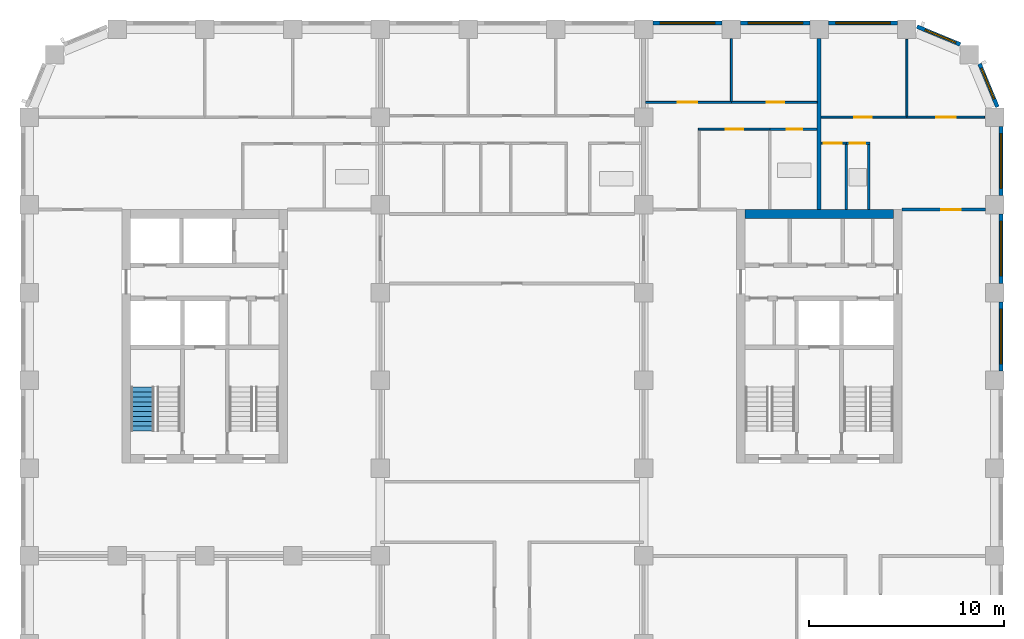
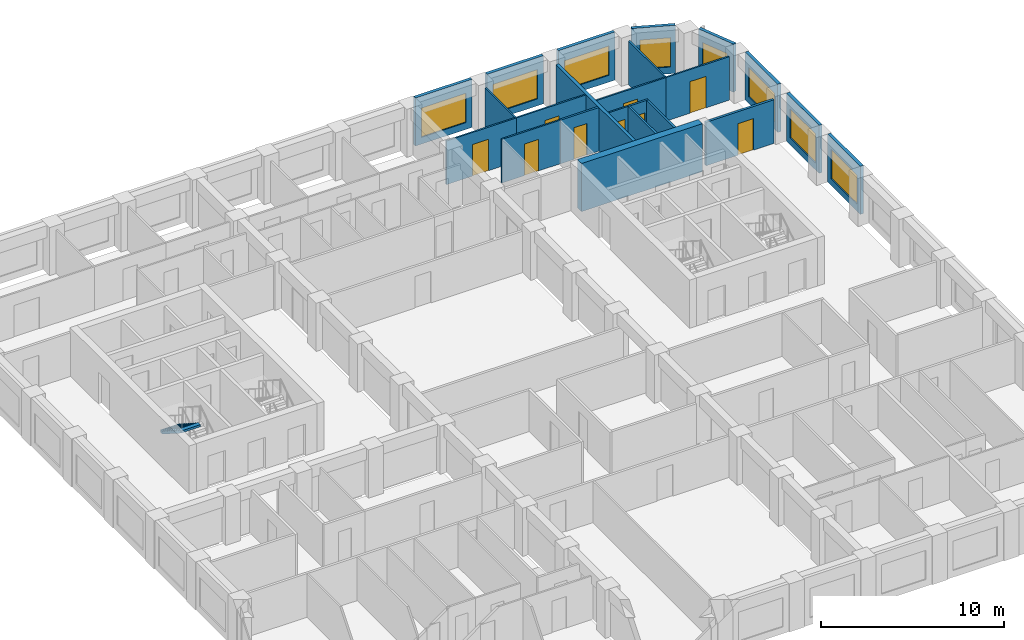
# One storey, part 9 of 13: 23 walls, 9 doors, 8 windows, 1 stair flight, 17 openings, 1 element without a shape of its own.
"""IFC4 building model written with IfcOpenShell, lengths in metres."""

from ifc_helpers import new_model, si_unit, direction, frame, frame_2d, origin, place, context, subcontext, project, spatial, polyline, rectangle, outline, extrude, material, layer, layer_set, type_object, element, fill, aggregate, save


model = new_model("IFC4")

# Units and contexts
model_context = context("Model", 3, precision=1e-05, world=origin(), true_north=direction((0.0, 1.0)))
body_context = subcontext(model_context, "Body", "Model", "MODEL_VIEW")
ifc_project = project(units=[si_unit("LENGTHUNIT", "METRE"), si_unit("AREAUNIT", "SQUARE_METRE"), si_unit("VOLUMEUNIT", "CUBIC_METRE"), si_unit("PLANEANGLEUNIT", "RADIAN"), si_unit("MASSUNIT", "GRAM", prefix="KILO")], contexts=[model_context])

# Site, building, storey
site_placement = place(None, origin())
site = spatial("IfcSite", under=ifc_project, at=site_placement, CompositionType="ELEMENT")
building_placement = place(site_placement, origin())
building = spatial("IfcBuilding", under=site, at=building_placement, Name="Girih Gate Residences", CompositionType="ELEMENT")
storey_placement = place(building_placement, frame((0.0, 0.0, 133.39990234375)))
storey = spatial("IfcBuildingStorey", under=building, at=storey_placement, Name="L37", CompositionType="ELEMENT", Elevation=133.39990234375)

# Wall, opening, door
ifc_material_1 = material(Name="Gypsum board on steel studs", Category="steel")
ifc_layer_1 = layer(ifc_material_1, 0.14990234375)
ifc_layer_set_1 = layer_set([ifc_layer_1], Name="Compartment wall 150 mm")
wall_type_1 = type_object("IfcWallType", Name="Compartment wall 150 mm", PredefinedType="PARTITIONING", material=ifc_layer_set_1)
wall_1_placement = place(storey_placement, frame((44.75, 40.25, 0.0), z_axis=(0.0, 0.0, 1.0), x_axis=(1.0, 0.0, 0.0)))
wall_1 = element("IfcWall", 1, at=wall_1_placement, inside=storey, type_object=wall_type_1, Name="L37 partition", PredefinedType="PARTITIONING", context=body_context, shape_type="SweptSolid", body=[
    extrude(rectangle(XDim=4.27490234375, YDim=0.14990234375, at=frame_2d((2.137451171875, 0.0))), origin(), (0.0, 0.0, 1.0), 2.900146484375),
])
opening_1_placement = place(wall_1_placement, frame((2.0, 0.0, 0.0)))
opening_1 = element("IfcOpeningElement", 2, at=opening_1_placement, cuts=wall_1, Name="Opening A37-031", PredefinedType="OPENING", context=body_context, shape_type="SweptSolid", body=[
    extrude(rectangle(XDim=1.0, YDim=2.10009765625, at=frame_2d((0.5, 1.050048828125))), frame((0.0, 0.0849609375, 0.0), z_axis=(0.0, -1.0, 0.0), x_axis=(1.0, 0.0, 0.0)), (0.0, 0.0, 1.0), 0.169921875),
])
ifc_material_2 = material(Name="Timber, fire-rated core", Category="wood")
door_type_1 = type_object("IfcDoorType", Name="Flat entrance door 1000x2100 FD30S", OperationType="NOTDEFINED", PredefinedType="DOOR", material=ifc_material_2)
door_1_placement = place(opening_1_placement, origin())
door_1 = element("IfcDoor", 3, at=door_1_placement, inside=storey, type_object=door_type_1, Name="Door A37-031", OperationType="SINGLE_SWING_RIGHT", OverallHeight=2.10009765625, OverallWidth=1.0, PredefinedType="DOOR", context=body_context, shape_type="SweptSolid", body=[
    extrude(rectangle(XDim=1.0, YDim=2.10009765625, at=frame_2d((0.5, 1.050048828125))), frame((0.0, 0.02490234375, 0.0), z_axis=(0.0, -1.0, 0.0), x_axis=(1.0, 0.0, 0.0)), (0.0, 0.0, 1.0), 0.050048828125),
])
fill(opening_1, door_1)

# Wall
ifc_material_3 = material(Name="Concrete C60/75", Category="concrete")
ifc_layer_2 = layer(ifc_material_3, 0.449951171875)
ifc_layer_set_2 = layer_set([ifc_layer_2], Name="Core wall RC 450 Concrete C60/75")
wall_type_2 = type_object("IfcWallType", Name="Core wall RC 450 Concrete C60/75", PredefinedType="SOLIDWALL", material=ifc_layer_set_2)
wall_2_placement = place(storey_placement, frame((36.699951171875, 40.02490234375, 0.0), z_axis=(0.0, 0.0, 1.0), x_axis=(1.0, 0.0, 0.0)))
element("IfcWall", 4, at=wall_2_placement, inside=storey, type_object=wall_type_2, Name="Core wall E-N L37", PredefinedType="SOLIDWALL", context=body_context, shape_type="SweptSolid", body=[
    extrude(rectangle(XDim=7.60009765625, YDim=0.449951171875, at=frame_2d((3.800048828125, 0.0))), origin(), (0.0, 0.0, 1.0), 3.2001953125),
])

# Wall, opening, door
ifc_layer_3 = layer(ifc_material_1, 0.10009765625)
ifc_layer_set_3 = layer_set([ifc_layer_3], Name="Partition 100 mm")
wall_type_3 = type_object("IfcWallType", Name="Partition 100 mm", PredefinedType="PARTITIONING", material=ifc_layer_set_3)
wall_3_placement = place(storey_placement, frame((40.60009765625, 45.0, 0.0), z_axis=(0.0, 0.0, 1.0), x_axis=(1.0, 0.0, 0.0)))
wall_3 = element("IfcWall", 5, at=wall_3_placement, inside=storey, type_object=wall_type_3, Name="L37 partition", PredefinedType="PARTITIONING", context=body_context, shape_type="SweptSolid", body=[
    extrude(rectangle(XDim=4.39990234375, YDim=0.10009765625, at=frame_2d((2.199951171875, 0.0))), origin(), (0.0, 0.0, 1.0), 2.900146484375),
])
opening_2_placement = place(wall_3_placement, frame((1.699951171875, 0.0, 0.0)))
opening_2 = element("IfcOpeningElement", 6, at=opening_2_placement, cuts=wall_3, Name="Opening A37-028", PredefinedType="OPENING", context=body_context, shape_type="SweptSolid", body=[
    extrude(rectangle(XDim=0.89990234375, YDim=2.10009765625, at=frame_2d((0.449951171875, 1.050048828125))), frame((0.0, 0.06005859375, 0.0), z_axis=(0.0, -1.0, 0.0), x_axis=(1.0, 0.0, 0.0)), (0.0, 0.0, 1.0), 0.1201171875),
])
ifc_material_4 = material(Name="Timber", Category="wood")
door_type_2 = type_object("IfcDoorType", Name="Bedroom door 900x2100", OperationType="NOTDEFINED", PredefinedType="DOOR", material=ifc_material_4)
door_2_placement = place(opening_2_placement, origin())
door_2 = element("IfcDoor", 7, at=door_2_placement, inside=storey, type_object=door_type_2, Name="Door A37-028", OperationType="SINGLE_SWING_LEFT", OverallHeight=2.10009765625, OverallWidth=0.89990234375, PredefinedType="DOOR", context=body_context, shape_type="SweptSolid", body=[
    extrude(rectangle(XDim=0.89990234375, YDim=2.10009765625, at=frame_2d((0.449951171875, 1.050048828125))), frame((0.0, 0.02490234375, 0.0), z_axis=(0.0, -1.0, 0.0), x_axis=(1.0, 0.0, 0.0)), (0.0, 0.0, 1.0), 0.050048828125),
])
fill(opening_2, door_2)

# Wall
wall_4_placement = place(storey_placement, frame((45.0, 45.050048828125, 0.0), z_axis=(0.0, 0.0, 1.0), x_axis=(0.0, 1.0, 0.0)))
element("IfcWall", 8, at=wall_4_placement, inside=storey, type_object=wall_type_3, Name="L37 partition", PredefinedType="PARTITIONING", context=body_context, shape_type="SweptSolid", body=[
    extrude(rectangle(XDim=3.935791015625, YDim=0.10009765625, at=frame_2d((1.9677734375, 0.0))), origin(), (0.0, 0.0, 1.0), 2.900146484375),
])

# Wall, opening, door
wall_5_placement = place(storey_placement, frame((41.890869140625, 43.659912109375, 0.0), z_axis=(0.0, 0.0, 1.0), x_axis=(-1.0, 0.0, 0.0)))
wall_5 = element("IfcWall", 9, at=wall_5_placement, inside=storey, type_object=wall_type_3, Name="L37 partition", PredefinedType="PARTITIONING", context=body_context, shape_type="SweptSolid", body=[
    extrude(rectangle(XDim=1.290771484375, YDim=0.10009765625, at=frame_2d((0.6455078125, 0.0))), origin(), (0.0, 0.0, 1.0), 2.900146484375),
])
opening_3_placement = place(wall_5_placement, frame((0.24560546875, 0.0, 0.0)))
opening_3 = element("IfcOpeningElement", 10, at=opening_3_placement, cuts=wall_5, Name="Opening A37-029", PredefinedType="OPENING", context=body_context, shape_type="SweptSolid", body=[
    extrude(rectangle(XDim=0.89990234375, YDim=2.10009765625, at=frame_2d((0.449951171875, 1.050048828125))), frame((0.0, 0.06005859375, 0.0), z_axis=(0.0, -1.0, 0.0), x_axis=(1.0, 0.0, 0.0)), (0.0, 0.0, 1.0), 0.1201171875),
])
door_type_3 = type_object("IfcDoorType", Name="Kitchen door 900x2100", OperationType="NOTDEFINED", PredefinedType="DOOR", material=ifc_material_4)
door_3_placement = place(opening_3_placement, origin())
door_3 = element("IfcDoor", 11, at=door_3_placement, inside=storey, type_object=door_type_3, Name="Door A37-029", OperationType="SINGLE_SWING_RIGHT", OverallHeight=2.10009765625, OverallWidth=0.89990234375, PredefinedType="DOOR", context=body_context, shape_type="SweptSolid", body=[
    extrude(rectangle(XDim=0.89990234375, YDim=2.10009765625, at=frame_2d((0.449951171875, 1.050048828125))), frame((0.0, 0.02490234375, 0.0), z_axis=(0.0, -1.0, 0.0), x_axis=(1.0, 0.0, 0.0)), (0.0, 0.0, 1.0), 0.050048828125),
])
fill(opening_3, door_3)

wall_6_placement = place(storey_placement, frame((45.0, 45.0, 0.0), z_axis=(0.0, 0.0, 1.0), x_axis=(1.0, 0.0, 0.0)))
wall_6 = element("IfcWall", 12, at=wall_6_placement, inside=storey, type_object=wall_type_3, Name="L37 partition", PredefinedType="PARTITIONING", context=body_context, shape_type="SweptSolid", body=[
    extrude(rectangle(XDim=3.98583984375, YDim=0.10009765625, at=frame_2d((1.992919921875, 0.0))), origin(), (0.0, 0.0, 1.0), 2.900146484375),
])
opening_4_placement = place(wall_6_placement, frame((1.512451171875, 0.0, 0.0)))
opening_4 = element("IfcOpeningElement", 13, at=opening_4_placement, cuts=wall_6, Name="Opening A37-030", PredefinedType="OPENING", context=body_context, shape_type="SweptSolid", body=[
    extrude(rectangle(XDim=1.0, YDim=2.10009765625, at=frame_2d((0.5, 1.050048828125))), frame((0.0, 0.06005859375, 0.0), z_axis=(0.0, -1.0, 0.0), x_axis=(1.0, 0.0, 0.0)), (0.0, 0.0, 1.0), 0.1201171875),
])
door_type_4 = type_object("IfcDoorType", Name="Living room door 1000x2100", OperationType="NOTDEFINED", PredefinedType="DOOR", material=ifc_material_4)
door_4_placement = place(opening_4_placement, origin())
door_4 = element("IfcDoor", 14, at=door_4_placement, inside=storey, type_object=door_type_4, Name="Door A37-030", OperationType="SINGLE_SWING_RIGHT", OverallHeight=2.10009765625, OverallWidth=1.0, PredefinedType="DOOR", context=body_context, shape_type="SweptSolid", body=[
    extrude(rectangle(XDim=1.0, YDim=2.10009765625, at=frame_2d((0.5, 1.050048828125))), frame((0.0, 0.02490234375, 0.0), z_axis=(0.0, -1.0, 0.0), x_axis=(1.0, 0.0, 0.0)), (0.0, 0.0, 1.0), 0.050048828125),
])
fill(opening_4, door_4)

wall_7_placement = place(storey_placement, frame((36.0, 45.7548828125, 0.0), z_axis=(0.0, 0.0, 1.0), x_axis=(1.0, 0.0, 0.0)))
wall_7 = element("IfcWall", 15, at=wall_7_placement, inside=storey, type_object=wall_type_3, Name="L37 partition", PredefinedType="PARTITIONING", context=body_context, shape_type="SweptSolid", body=[
    extrude(rectangle(XDim=4.39990234375, YDim=0.10009765625, at=frame_2d((2.199951171875, 0.0))), origin(), (0.0, 0.0, 1.0), 2.900146484375),
])
opening_5_placement = place(wall_7_placement, frame((1.800048828125, 0.0, 0.0)))
opening_5 = element("IfcOpeningElement", 16, at=opening_5_placement, cuts=wall_7, Name="Opening A37-033", PredefinedType="OPENING", context=body_context, shape_type="SweptSolid", body=[
    extrude(rectangle(XDim=0.89990234375, YDim=2.10009765625, at=frame_2d((0.449951171875, 1.050048828125))), frame((0.0, 0.06005859375, 0.0), z_axis=(0.0, -1.0, 0.0), x_axis=(1.0, 0.0, 0.0)), (0.0, 0.0, 1.0), 0.1201171875),
])
door_5_placement = place(opening_5_placement, origin())
door_5 = element("IfcDoor", 17, at=door_5_placement, inside=storey, type_object=door_type_2, Name="Door A37-033", OperationType="SINGLE_SWING_RIGHT", OverallHeight=2.10009765625, OverallWidth=0.89990234375, PredefinedType="DOOR", context=body_context, shape_type="SweptSolid", body=[
    extrude(rectangle(XDim=0.89990234375, YDim=2.10009765625, at=frame_2d((0.449951171875, 1.050048828125))), frame((0.0, 0.02490234375, 0.0), z_axis=(0.0, -1.0, 0.0), x_axis=(1.0, 0.0, 0.0)), (0.0, 0.0, 1.0), 0.050048828125),
])
fill(opening_5, door_5)

# Wall
wall_8_placement = place(storey_placement, frame((36.0, 45.804931640625, 0.0), z_axis=(0.0, 0.0, 1.0), x_axis=(0.0, 1.0, 0.0)))
element("IfcWall", 18, at=wall_8_placement, inside=storey, type_object=wall_type_3, Name="L37 partition", PredefinedType="PARTITIONING", context=body_context, shape_type="SweptSolid", body=[
    extrude(rectangle(XDim=3.219970703125, YDim=0.10009765625, at=frame_2d((1.60986328125, 0.0))), origin(), (0.0, 0.0, 1.0), 2.900146484375),
])

# Wall, opening, door
wall_9_placement = place(storey_placement, frame((37.97265625, 44.375, 0.0), z_axis=(0.0, 0.0, 1.0), x_axis=(-1.0, 0.0, 0.0)))
wall_9 = element("IfcWall", 19, at=wall_9_placement, inside=storey, type_object=wall_type_3, Name="L37 partition", PredefinedType="PARTITIONING", context=body_context, shape_type="SweptSolid", body=[
    extrude(rectangle(XDim=3.672607421875, YDim=0.10009765625, at=frame_2d((1.83642578125, 0.0))), origin(), (0.0, 0.0, 1.0), 2.900146484375),
])
opening_6_placement = place(wall_9_placement, frame((1.361328125, 0.0, 0.0)))
opening_6 = element("IfcOpeningElement", 20, at=opening_6_placement, cuts=wall_9, Name="Opening A37-034", PredefinedType="OPENING", context=body_context, shape_type="SweptSolid", body=[
    extrude(rectangle(XDim=0.89990234375, YDim=2.10009765625, at=frame_2d((0.449951171875, 1.050048828125))), frame((0.0, 0.06005859375, 0.0), z_axis=(0.0, -1.0, 0.0), x_axis=(1.0, 0.0, 0.0)), (0.0, 0.0, 1.0), 0.1201171875),
])
door_6_placement = place(opening_6_placement, origin())
door_6 = element("IfcDoor", 21, at=door_6_placement, inside=storey, type_object=door_type_3, Name="Door A37-034", OperationType="SINGLE_SWING_LEFT", OverallHeight=2.10009765625, OverallWidth=0.89990234375, PredefinedType="DOOR", context=body_context, shape_type="SweptSolid", body=[
    extrude(rectangle(XDim=0.89990234375, YDim=2.10009765625, at=frame_2d((0.449951171875, 1.050048828125))), frame((0.0, 0.02490234375, 0.0), z_axis=(0.0, -1.0, 0.0), x_axis=(1.0, 0.0, 0.0)), (0.0, 0.0, 1.0), 0.050048828125),
])
fill(opening_6, door_6)

wall_10_placement = place(storey_placement, frame((31.60009765625, 45.7548828125, 0.0), z_axis=(0.0, 0.0, 1.0), x_axis=(1.0, 0.0, 0.0)))
wall_10 = element("IfcWall", 22, at=wall_10_placement, inside=storey, type_object=wall_type_3, Name="L37 partition", PredefinedType="PARTITIONING", context=body_context, shape_type="SweptSolid", body=[
    extrude(rectangle(XDim=4.39990234375, YDim=0.10009765625, at=frame_2d((2.199951171875, 0.0))), origin(), (0.0, 0.0, 1.0), 2.900146484375),
])
opening_7_placement = place(wall_10_placement, frame((1.64990234375, 0.0, 0.0)))
opening_7 = element("IfcOpeningElement", 23, at=opening_7_placement, cuts=wall_10, Name="Opening A37-035", PredefinedType="OPENING", context=body_context, shape_type="SweptSolid", body=[
    extrude(rectangle(XDim=1.0, YDim=2.10009765625, at=frame_2d((0.5, 1.050048828125))), frame((0.0, 0.06005859375, 0.0), z_axis=(0.0, -1.0, 0.0), x_axis=(1.0, 0.0, 0.0)), (0.0, 0.0, 1.0), 0.1201171875),
])
door_7_placement = place(opening_7_placement, origin())
door_7 = element("IfcDoor", 24, at=door_7_placement, inside=storey, type_object=door_type_4, Name="Door A37-035", OperationType="SINGLE_SWING_LEFT", OverallHeight=2.10009765625, OverallWidth=1.0, PredefinedType="DOOR", context=body_context, shape_type="SweptSolid", body=[
    extrude(rectangle(XDim=1.0, YDim=2.10009765625, at=frame_2d((0.5, 1.050048828125))), frame((0.0, 0.02490234375, 0.0), z_axis=(0.0, -1.0, 0.0), x_axis=(1.0, 0.0, 0.0)), (0.0, 0.0, 1.0), 0.050048828125),
])
fill(opening_7, door_7)

# Wall
ifc_layer_4 = layer(ifc_material_1, 0.199951171875)
ifc_layer_set_4 = layer_set([ifc_layer_4], Name="Party wall 200 mm")
wall_type_4 = type_object("IfcWallType", Name="Party wall 200 mm", PredefinedType="PARTITIONING", material=ifc_layer_set_4)
wall_11_placement = place(storey_placement, frame((40.5, 40.25, 0.0), z_axis=(0.0, 0.0, 1.0), x_axis=(0.0, 1.0, 0.0)))
element("IfcWall", 25, at=wall_11_placement, inside=storey, type_object=wall_type_4, Name="L37 partition", PredefinedType="PARTITIONING", context=body_context, shape_type="SweptSolid", body=[
    extrude(rectangle(XDim=8.77490234375, YDim=0.199951171875, at=frame_2d((4.387451171875, 0.0))), origin(), (0.0, 0.0, 1.0), 2.900146484375),
])

# Wall, opening, window
ifc_material_5 = material(Name="Precast concrete C50/60", Category="concrete")
ifc_layer_5 = layer(ifc_material_5, 0.06005859375, Name="Outer leaf")
ifc_material_6 = material(Name="Rigid PIR insulation")
ifc_layer_6 = layer(ifc_material_6, 0.090087890625, Name="Insulation")
ifc_material_7 = material(Name="Precast concrete C40/50", Category="concrete")
ifc_layer_7 = layer(ifc_material_7, 0.050048828125, Name="Inner leaf")
ifc_layer_set_5 = layer_set([ifc_layer_5, ifc_layer_6, ifc_layer_7], Name="Precast concrete C50/60 external wall 200")
wall_type_5 = type_object("IfcWallType", Name="Precast concrete C50/60 external wall 200", PredefinedType="SOLIDWALL", material=ifc_layer_set_5)
wall_12_placement = place(storey_placement, frame((49.824951171875, 35.52490234375, 0.0), z_axis=(0.0, 0.0, 1.0), x_axis=(0.0, -1.0, 0.0)))
wall_12 = element("IfcWall", 26, at=wall_12_placement, inside=storey, type_object=wall_type_5, Name="External wall E0495_0045.6", PredefinedType="SOLIDWALL", context=body_context, shape_type="SweptSolid", body=[
    extrude(rectangle(XDim=3.5498046875, YDim=0.199951171875, at=frame_2d((1.77490234375, 0.0))), origin(), (0.0, 0.0, 1.0), 3.2001953125),
])
opening_8_placement = place(wall_12_placement, frame((0.375, 0.0, 0.449951171875)))
opening_8 = element("IfcOpeningElement", 27, at=opening_8_placement, cuts=wall_12, Name="Opening W-1B", PredefinedType="OPENING", context=body_context, shape_type="SweptSolid", body=[
    extrude(rectangle(XDim=2.800048828125, YDim=1.949951171875, at=frame_2d((1.39990234375, 0.97509765625))), frame((0.0, 0.10986328125, 0.0), z_axis=(0.0, -1.0, 0.0), x_axis=(1.0, 0.0, 0.0)), (0.0, 0.0, 1.0), 0.219970703125),
])
ifc_material_8 = material(Name="Double glazing in aluminium frame", Category="aluminium")
window_type_1 = type_object("IfcWindowType", Name="Window W-1B 2800x1950", PartitioningType="SINGLE_PANEL", PredefinedType="WINDOW", material=ifc_material_8)
window_1_placement = place(opening_8_placement, origin())
window_1 = element("IfcWindow", 28, at=window_1_placement, inside=storey, type_object=window_type_1, Name="Window W-1B E0495_0045.6", OverallHeight=1.949951171875, OverallWidth=2.800048828125, PartitioningType="SINGLE_PANEL", PredefinedType="WINDOW", context=body_context, shape_type="SweptSolid", body=[
    extrude(rectangle(XDim=2.800048828125, YDim=1.949951171875, at=frame_2d((1.39990234375, 0.97509765625))), frame((0.0, 0.030029296875, 0.0), z_axis=(0.0, -1.0, 0.0), x_axis=(1.0, 0.0, 0.0)), (0.0, 0.0, 1.0), 0.06005859375),
])
fill(opening_8, window_1)

wall_13_placement = place(storey_placement, frame((49.824951171875, 40.02490234375, 0.0), z_axis=(0.0, 0.0, 1.0), x_axis=(0.0, -1.0, 0.0)))
wall_13 = element("IfcWall", 29, at=wall_13_placement, inside=storey, type_object=wall_type_5, Name="External wall E0495_0045.7", PredefinedType="SOLIDWALL", context=body_context, shape_type="SweptSolid", body=[
    extrude(rectangle(XDim=3.5498046875, YDim=0.199951171875, at=frame_2d((1.77490234375, 0.0))), origin(), (0.0, 0.0, 1.0), 3.2001953125),
])
opening_9_placement = place(wall_13_placement, frame((0.375, 0.0, 0.449951171875)))
opening_9 = element("IfcOpeningElement", 30, at=opening_9_placement, cuts=wall_13, Name="Opening W-1B", PredefinedType="OPENING", context=body_context, shape_type="SweptSolid", body=[
    extrude(rectangle(XDim=2.800048828125, YDim=1.949951171875, at=frame_2d((1.39990234375, 0.97509765625))), frame((0.0, 0.10986328125, 0.0), z_axis=(0.0, -1.0, 0.0), x_axis=(1.0, 0.0, 0.0)), (0.0, 0.0, 1.0), 0.219970703125),
])
window_2_placement = place(opening_9_placement, origin())
window_2 = element("IfcWindow", 31, at=window_2_placement, inside=storey, type_object=window_type_1, Name="Window W-1B E0495_0045.7", OverallHeight=1.949951171875, OverallWidth=2.800048828125, PartitioningType="SINGLE_PANEL", PredefinedType="WINDOW", context=body_context, shape_type="SweptSolid", body=[
    extrude(rectangle(XDim=2.800048828125, YDim=1.949951171875, at=frame_2d((1.39990234375, 0.97509765625))), frame((0.0, 0.030029296875, 0.0), z_axis=(0.0, -1.0, 0.0), x_axis=(1.0, 0.0, 0.0)), (0.0, 0.0, 1.0), 0.06005859375),
])
fill(opening_9, window_2)

wall_14_placement = place(storey_placement, frame((49.824951171875, 44.52490234375, 0.0), z_axis=(0.0, 0.0, 1.0), x_axis=(0.0, -1.0, 0.0)))
wall_14 = element("IfcWall", 32, at=wall_14_placement, inside=storey, type_object=wall_type_5, Name="External wall E0495_0045.8", PredefinedType="SOLIDWALL", context=body_context, shape_type="SweptSolid", body=[
    extrude(rectangle(XDim=3.5498046875, YDim=0.199951171875, at=frame_2d((1.77490234375, 0.0))), origin(), (0.0, 0.0, 1.0), 3.2001953125),
])
opening_10_placement = place(wall_14_placement, frame((0.375, 0.0, 0.449951171875)))
opening_10 = element("IfcOpeningElement", 33, at=opening_10_placement, cuts=wall_14, Name="Opening W-1B", PredefinedType="OPENING", context=body_context, shape_type="SweptSolid", body=[
    extrude(rectangle(XDim=2.800048828125, YDim=1.949951171875, at=frame_2d((1.39990234375, 0.97509765625))), frame((0.0, 0.10986328125, 0.0), z_axis=(0.0, -1.0, 0.0), x_axis=(1.0, 0.0, 0.0)), (0.0, 0.0, 1.0), 0.219970703125),
])
window_3_placement = place(opening_10_placement, origin())
window_3 = element("IfcWindow", 34, at=window_3_placement, inside=storey, type_object=window_type_1, Name="Window W-1B E0495_0045.8", OverallHeight=1.949951171875, OverallWidth=2.800048828125, PartitioningType="SINGLE_PANEL", PredefinedType="WINDOW", context=body_context, shape_type="SweptSolid", body=[
    extrude(rectangle(XDim=2.800048828125, YDim=1.949951171875, at=frame_2d((1.39990234375, 0.97509765625))), frame((0.0, 0.030029296875, 0.0), z_axis=(0.0, -1.0, 0.0), x_axis=(1.0, 0.0, 0.0)), (0.0, 0.0, 1.0), 0.06005859375),
])
fill(opening_10, window_3)

wall_15_placement = place(storey_placement, frame((48.7197265625, 47.73291015625, 0.0), z_axis=(0.0, 0.0, 1.0), x_axis=(0.382680855588, -0.923880599843, 0.0)))
wall_15 = element("IfcWall", 35, at=wall_15_placement, inside=storey, type_object=wall_type_5, Name="External wall NE0495_0450.0", PredefinedType="SOLIDWALL", context=body_context, shape_type="SweptSolid", body=[
    extrude(rectangle(XDim=2.402587890625, YDim=0.199951171875, at=frame_2d((1.201171875, 0.0))), origin(), (0.0, 0.0, 1.0), 3.2001953125),
])
opening_11_placement = place(wall_15_placement, frame((0.25146484375, 0.0, 0.449951171875)))
opening_11 = element("IfcOpeningElement", 36, at=opening_11_placement, cuts=wall_15, Name="Opening W-2E", PredefinedType="OPENING", context=body_context, shape_type="SweptSolid", body=[
    extrude(rectangle(XDim=1.699951171875, YDim=1.949951171875, at=frame_2d((0.85009765625, 0.97509765625))), frame((0.0, 0.10986328125, 0.0), z_axis=(0.0, -1.0, 0.0), x_axis=(1.0, 0.0, 0.0)), (0.0, 0.0, 1.0), 0.219970703125),
])
window_type_2 = type_object("IfcWindowType", Name="Window W-2E 1700x1950", PartitioningType="SINGLE_PANEL", PredefinedType="WINDOW", material=ifc_material_8)
window_4_placement = place(opening_11_placement, origin())
window_4 = element("IfcWindow", 37, at=window_4_placement, inside=storey, type_object=window_type_2, Name="Window W-2E NE0495_0450.0", OverallHeight=1.949951171875, OverallWidth=1.699951171875, PartitioningType="SINGLE_PANEL", PredefinedType="WINDOW", context=body_context, shape_type="SweptSolid", body=[
    extrude(rectangle(XDim=1.699951171875, YDim=1.949951171875, at=frame_2d((0.85009765625, 0.97509765625))), frame((0.0, 0.030029296875, 0.0), z_axis=(0.0, -1.0, 0.0), x_axis=(1.0, 0.0, 0.0)), (0.0, 0.0, 1.0), 0.06005859375),
])
fill(opening_11, window_4)

wall_16_placement = place(storey_placement, frame((45.51318359375, 49.63916015625, 0.0), z_axis=(0.0, 0.0, 1.0), x_axis=(0.923880599843, -0.382680855588, 0.0)))
wall_16 = element("IfcWall", 38, at=wall_16_placement, inside=storey, type_object=wall_type_5, Name="External wall NE0482_0482.0", PredefinedType="SOLIDWALL", context=body_context, shape_type="SweptSolid", body=[
    extrude(rectangle(XDim=2.402587890625, YDim=0.199951171875, at=frame_2d((1.201171875, 0.0))), origin(), (0.0, 0.0, 1.0), 3.2001953125),
])
opening_12_placement = place(wall_16_placement, frame((0.451171875, 0.0, 0.449951171875)))
opening_12 = element("IfcOpeningElement", 39, at=opening_12_placement, cuts=wall_16, Name="Opening W-2E", PredefinedType="OPENING", context=body_context, shape_type="SweptSolid", body=[
    extrude(rectangle(XDim=1.699951171875, YDim=1.949951171875, at=frame_2d((0.85009765625, 0.97509765625))), frame((0.0, 0.10986328125, 0.0), z_axis=(0.0, -1.0, 0.0), x_axis=(1.0, 0.0, 0.0)), (0.0, 0.0, 1.0), 0.219970703125),
])
window_5_placement = place(opening_12_placement, origin())
window_5 = element("IfcWindow", 40, at=window_5_placement, inside=storey, type_object=window_type_2, Name="Window W-2E NE0482_0482.0", OverallHeight=1.949951171875, OverallWidth=1.699951171875, PartitioningType="SINGLE_PANEL", PredefinedType="WINDOW", context=body_context, shape_type="SweptSolid", body=[
    extrude(rectangle(XDim=1.699951171875, YDim=1.949951171875, at=frame_2d((0.85009765625, 0.97509765625))), frame((0.0, 0.030029296875, 0.0), z_axis=(0.0, -1.0, 0.0), x_axis=(1.0, 0.0, 0.0)), (0.0, 0.0, 1.0), 0.06005859375),
])
fill(opening_12, window_5)

wall_17_placement = place(storey_placement, frame((40.97509765625, 49.824951171875, 0.0), z_axis=(0.0, 0.0, 1.0), x_axis=(1.0, 0.0, 0.0)))
wall_17 = element("IfcWall", 41, at=wall_17_placement, inside=storey, type_object=wall_type_5, Name="External wall N0450_0495.0", PredefinedType="SOLIDWALL", context=body_context, shape_type="SweptSolid", body=[
    extrude(rectangle(XDim=3.5498046875, YDim=0.199951171875, at=frame_2d((1.77490234375, 0.0))), origin(), (0.0, 0.0, 1.0), 3.2001953125),
])
opening_13_placement = place(wall_17_placement, frame((0.375, 0.0, 0.449951171875)))
opening_13 = element("IfcOpeningElement", 42, at=opening_13_placement, cuts=wall_17, Name="Opening W-1B", PredefinedType="OPENING", context=body_context, shape_type="SweptSolid", body=[
    extrude(rectangle(XDim=2.800048828125, YDim=1.949951171875, at=frame_2d((1.39990234375, 0.97509765625))), frame((0.0, 0.10986328125, 0.0), z_axis=(0.0, -1.0, 0.0), x_axis=(1.0, 0.0, 0.0)), (0.0, 0.0, 1.0), 0.219970703125),
])
window_6_placement = place(opening_13_placement, origin())
window_6 = element("IfcWindow", 43, at=window_6_placement, inside=storey, type_object=window_type_1, Name="Window W-1B N0450_0495.0", OverallHeight=1.949951171875, OverallWidth=2.800048828125, PartitioningType="SINGLE_PANEL", PredefinedType="WINDOW", context=body_context, shape_type="SweptSolid", body=[
    extrude(rectangle(XDim=2.800048828125, YDim=1.949951171875, at=frame_2d((1.39990234375, 0.97509765625))), frame((0.0, 0.030029296875, 0.0), z_axis=(0.0, -1.0, 0.0), x_axis=(1.0, 0.0, 0.0)), (0.0, 0.0, 1.0), 0.06005859375),
])
fill(opening_13, window_6)

wall_18_placement = place(storey_placement, frame((36.47509765625, 49.824951171875, 0.0), z_axis=(0.0, 0.0, 1.0), x_axis=(1.0, 0.0, 0.0)))
wall_18 = element("IfcWall", 44, at=wall_18_placement, inside=storey, type_object=wall_type_5, Name="External wall N0450_0495.1", PredefinedType="SOLIDWALL", context=body_context, shape_type="SweptSolid", body=[
    extrude(rectangle(XDim=3.5498046875, YDim=0.199951171875, at=frame_2d((1.77490234375, 0.0))), origin(), (0.0, 0.0, 1.0), 3.2001953125),
])
opening_14_placement = place(wall_18_placement, frame((0.375, 0.0, 0.449951171875)))
opening_14 = element("IfcOpeningElement", 45, at=opening_14_placement, cuts=wall_18, Name="Opening W-1B", PredefinedType="OPENING", context=body_context, shape_type="SweptSolid", body=[
    extrude(rectangle(XDim=2.800048828125, YDim=1.949951171875, at=frame_2d((1.39990234375, 0.97509765625))), frame((0.0, 0.10986328125, 0.0), z_axis=(0.0, -1.0, 0.0), x_axis=(1.0, 0.0, 0.0)), (0.0, 0.0, 1.0), 0.219970703125),
])
window_7_placement = place(opening_14_placement, origin())
window_7 = element("IfcWindow", 46, at=window_7_placement, inside=storey, type_object=window_type_1, Name="Window W-1B N0450_0495.1", OverallHeight=1.949951171875, OverallWidth=2.800048828125, PartitioningType="SINGLE_PANEL", PredefinedType="WINDOW", context=body_context, shape_type="SweptSolid", body=[
    extrude(rectangle(XDim=2.800048828125, YDim=1.949951171875, at=frame_2d((1.39990234375, 0.97509765625))), frame((0.0, 0.030029296875, 0.0), z_axis=(0.0, -1.0, 0.0), x_axis=(1.0, 0.0, 0.0)), (0.0, 0.0, 1.0), 0.06005859375),
])
fill(opening_14, window_7)

wall_19_placement = place(storey_placement, frame((31.97509765625, 49.824951171875, 0.0), z_axis=(0.0, 0.0, 1.0), x_axis=(1.0, 0.0, 0.0)))
wall_19 = element("IfcWall", 47, at=wall_19_placement, inside=storey, type_object=wall_type_5, Name="External wall N0450_0495.2", PredefinedType="SOLIDWALL", context=body_context, shape_type="SweptSolid", body=[
    extrude(rectangle(XDim=3.5498046875, YDim=0.199951171875, at=frame_2d((1.77490234375, 0.0))), origin(), (0.0, 0.0, 1.0), 3.2001953125),
])
opening_15_placement = place(wall_19_placement, frame((0.375, 0.0, 0.449951171875)))
opening_15 = element("IfcOpeningElement", 48, at=opening_15_placement, cuts=wall_19, Name="Opening W-1B", PredefinedType="OPENING", context=body_context, shape_type="SweptSolid", body=[
    extrude(rectangle(XDim=2.800048828125, YDim=1.949951171875, at=frame_2d((1.39990234375, 0.97509765625))), frame((0.0, 0.10986328125, 0.0), z_axis=(0.0, -1.0, 0.0), x_axis=(1.0, 0.0, 0.0)), (0.0, 0.0, 1.0), 0.219970703125),
])
window_8_placement = place(opening_15_placement, origin())
window_8 = element("IfcWindow", 49, at=window_8_placement, inside=storey, type_object=window_type_1, Name="Window W-1B N0450_0495.2", OverallHeight=1.949951171875, OverallWidth=2.800048828125, PartitioningType="SINGLE_PANEL", PredefinedType="WINDOW", context=body_context, shape_type="SweptSolid", body=[
    extrude(rectangle(XDim=2.800048828125, YDim=1.949951171875, at=frame_2d((1.39990234375, 0.97509765625))), frame((0.0, 0.030029296875, 0.0), z_axis=(0.0, -1.0, 0.0), x_axis=(1.0, 0.0, 0.0)), (0.0, 0.0, 1.0), 0.06005859375),
])
fill(opening_15, window_8)

# Wall, opening, door
ifc_layer_8 = layer(ifc_material_1, 0.125)
ifc_layer_set_6 = layer_set([ifc_layer_8], Name="Wet room wall 125 mm")
wall_type_6 = type_object("IfcWallType", Name="Wet room wall 125 mm", PredefinedType="PARTITIONING", material=ifc_layer_set_6)
wall_20_placement = place(storey_placement, frame((43.112548828125, 43.659912109375, 0.0), z_axis=(0.0, 0.0, 1.0), x_axis=(-1.0, 0.0, 0.0)))
wall_20 = element("IfcWall", 50, at=wall_20_placement, inside=storey, type_object=wall_type_6, Name="L37 partition", PredefinedType="PARTITIONING", context=body_context, shape_type="SweptSolid", body=[
    extrude(rectangle(XDim=1.2216796875, YDim=0.125, at=frame_2d((0.61083984375, 0.0))), origin(), (0.0, 0.0, 1.0), 2.900146484375),
])
opening_16_placement = place(wall_20_placement, frame((0.241943359375, 0.0, 0.0)))
opening_16 = element("IfcOpeningElement", 51, at=opening_16_placement, cuts=wall_20, Name="Opening A37-027", PredefinedType="OPENING", context=body_context, shape_type="SweptSolid", body=[
    extrude(rectangle(XDim=0.800048828125, YDim=2.10009765625, at=frame_2d((0.39990234375, 1.050048828125))), frame((0.0, 0.072509765625, 0.0), z_axis=(0.0, -1.0, 0.0), x_axis=(1.0, 0.0, 0.0)), (0.0, 0.0, 1.0), 0.14501953125),
])
door_type_5 = type_object("IfcDoorType", Name="Bathroom door 800x2100", OperationType="NOTDEFINED", PredefinedType="DOOR", material=ifc_material_4)
door_8_placement = place(opening_16_placement, origin())
door_8 = element("IfcDoor", 52, at=door_8_placement, inside=storey, type_object=door_type_5, Name="Door A37-027", OperationType="SINGLE_SWING_RIGHT", OverallHeight=2.10009765625, OverallWidth=0.800048828125, PredefinedType="DOOR", context=body_context, shape_type="SweptSolid", body=[
    extrude(rectangle(XDim=0.800048828125, YDim=2.10009765625, at=frame_2d((0.39990234375, 1.050048828125))), frame((0.0, 0.02490234375, 0.0), z_axis=(0.0, -1.0, 0.0), x_axis=(1.0, 0.0, 0.0)), (0.0, 0.0, 1.0), 0.050048828125),
])
fill(opening_16, door_8)

# Walls
for number, where, z_axis, x_axis, name in (
    (53, (43.050048828125, 40.25, 0.0), (0.0, 0.0, 1.0), (0.0, 1.0, 0.0), "L37 partition"),
    (54, (41.89111328125, 40.25, 0.0), (0.0, 0.0, 1.0), (0.0, 1.0, 0.0), "L37 partition"),
):
    element("IfcWall", number, at=place(storey_placement, frame(where, z_axis=z_axis, x_axis=x_axis)), inside=storey, type_object=wall_type_6, Name=name, PredefinedType="PARTITIONING", context=body_context, shape_type="SweptSolid", body=[
        extrude(rectangle(XDim=3.347412109375, YDim=0.125, at=frame_2d((1.673828125, 0.0))), origin(), (0.0, 0.0, 1.0), 2.900146484375),
    ])

# Wall, opening, door
wall_21_placement = place(storey_placement, frame((40.39990234375, 44.375, 0.0), z_axis=(0.0, 0.0, 1.0), x_axis=(-1.0, 0.0, 0.0)))
wall_21 = element("IfcWall", 55, at=wall_21_placement, inside=storey, type_object=wall_type_6, Name="L37 partition", PredefinedType="PARTITIONING", context=body_context, shape_type="SweptSolid", body=[
    extrude(rectangle(XDim=2.42724609375, YDim=0.125, at=frame_2d((1.213623046875, 0.0))), origin(), (0.0, 0.0, 1.0), 2.900146484375),
])
opening_17_placement = place(wall_21_placement, frame((0.763671875, 0.0, 0.0)))
opening_17 = element("IfcOpeningElement", 56, at=opening_17_placement, cuts=wall_21, Name="Opening A37-032", PredefinedType="OPENING", context=body_context, shape_type="SweptSolid", body=[
    extrude(rectangle(XDim=0.800048828125, YDim=2.10009765625, at=frame_2d((0.39990234375, 1.050048828125))), frame((0.0, 0.072509765625, 0.0), z_axis=(0.0, -1.0, 0.0), x_axis=(1.0, 0.0, 0.0)), (0.0, 0.0, 1.0), 0.14501953125),
])
door_9_placement = place(opening_17_placement, origin())
door_9 = element("IfcDoor", 57, at=door_9_placement, inside=storey, type_object=door_type_5, Name="Door A37-032", OperationType="SINGLE_SWING_LEFT", OverallHeight=2.10009765625, OverallWidth=0.800048828125, PredefinedType="DOOR", context=body_context, shape_type="SweptSolid", body=[
    extrude(rectangle(XDim=0.800048828125, YDim=2.10009765625, at=frame_2d((0.39990234375, 1.050048828125))), frame((0.0, 0.02490234375, 0.0), z_axis=(0.0, -1.0, 0.0), x_axis=(1.0, 0.0, 0.0)), (0.0, 0.0, 1.0), 0.050048828125),
])
fill(opening_17, door_9)

# Stair, stair flight
ifc_material_9 = material(Name="Concrete C40/50", Category="concrete")
stair_type = type_object("IfcStairType", Name="Exit stair", PredefinedType="HALF_TURN_STAIR", material=ifc_material_9)
stair_placement = place(storey_placement, origin())
stair = element("IfcStair", 58, at=stair_placement, inside=storey, type_object=stair_type, Name="L37 Exit Stair ST-W1", PredefinedType="HALF_TURN_STAIR")
stair_flight_type = type_object("IfcStairFlightType", Name="Stair flight 1200", PredefinedType="STRAIGHT", material=ifc_material_9)
stair_flight_placement = place(storey_placement, frame((5.800048828125, 31.14990234375, 1.60009765625), z_axis=(0.0, 0.0, 1.0), x_axis=(0.0, -1.0, 0.0)))
stair_flight = element("IfcStairFlight", 59, at=stair_flight_placement, type_object=stair_flight_type, Name="ST-W1 flight 2", NumberOfRisers=10, NumberOfTreads=9, PredefinedType="STRAIGHT", RiserHeight=0.16, TreadLength=0.25, context=body_context, shape_type="SweptSolid", body=[
    extrude(outline(polyline([(0.0, 0.0), (0.0, 0.159912109375), (0.25, 0.159912109375), (0.25, 0.320068359375), (0.5, 0.320068359375), (0.5, 0.47998046875), (0.75, 0.47998046875), (0.75, 0.639892578125), (1.0, 0.639892578125), (1.0, 0.800048828125), (1.25, 0.800048828125), (1.25, 0.9599609375), (1.5, 0.9599609375), (1.5, 1.1201171875), (1.75, 1.1201171875), (1.75, 1.280029296875), (2.0, 1.280029296875), (2.0, 1.43994140625), (2.25, 1.43994140625), (2.25, 1.60009765625), (2.25, 1.29736328125), (0.222900390625, 0.0), (0.0, 0.0)])), frame((0.0, 0.60009765625, 0.0), z_axis=(0.0, -1.0, 0.0), x_axis=(1.0, 0.0, 0.0)), (0.0, 0.0, 1.0), 1.199951171875),
])
aggregate(stair, [stair_flight])

save(model, "model.ifc")
